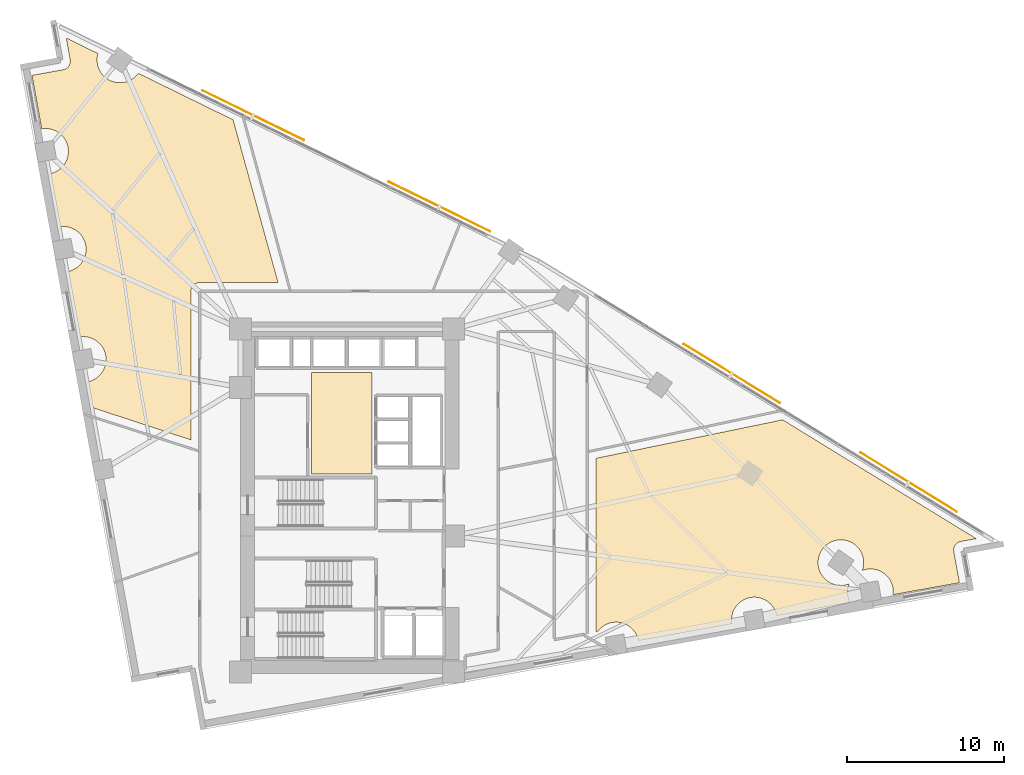
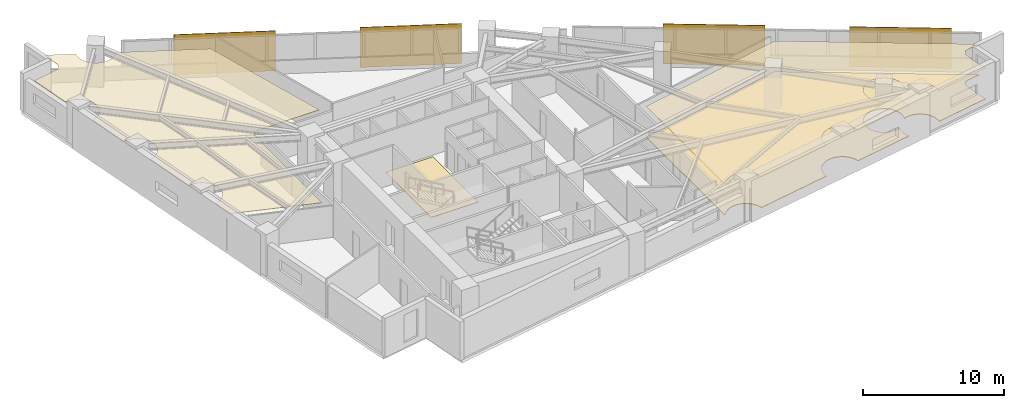
# One storey, part 18 of 18: 4 coverings, 4 shading devices.
"""IFC4 building model written with IfcOpenShell, lengths in metres."""

from ifc_helpers import new_model, si_unit, direction, frame, origin, origin_2d, place, context, subcontext, project, spatial, polyline, rectangle, outline, extrude, material, layer, layer_set, type_object, element, save


model = new_model("IFC4")

# Units and contexts
model_context = context("Model", 3, precision=1e-05, world=origin(), true_north=direction((0.0, 1.0)))
body_context = subcontext(model_context, "Body", "Model", "MODEL_VIEW")
ifc_project = project(units=[si_unit("LENGTHUNIT", "METRE"), si_unit("AREAUNIT", "SQUARE_METRE"), si_unit("VOLUMEUNIT", "CUBIC_METRE"), si_unit("PLANEANGLEUNIT", "RADIAN"), si_unit("MASSUNIT", "GRAM", prefix="KILO")], contexts=[model_context])

# Site, building, storey
site_placement = place(None, origin())
site = spatial("IfcSite", under=ifc_project, at=site_placement, CompositionType="ELEMENT")
building_placement = place(site_placement, origin())
building = spatial("IfcBuilding", under=site, at=building_placement, Name="Narakoshi Arena Tower", CompositionType="ELEMENT")
storey_placement = place(building_placement, frame((0.0, 0.0, 110.10009765625)))
storey = spatial("IfcBuildingStorey", under=building, at=storey_placement, Name="L29", CompositionType="ELEMENT", Elevation=110.10009765625)

# Coverings
ifc_material_1 = material(Name="Acoustic mineral-fibre ceiling tile")
ifc_layer_1 = layer(ifc_material_1, 0.02001953125)
ifc_layer_set_1 = layer_set([ifc_layer_1], Name="Acoustic mineral-fibre ceiling tile")
covering_type_1 = type_object("IfcCoveringType", Name="COV-CLG-AC20", PredefinedType="CEILING", material=ifc_layer_set_1)
covering_1_placement = place(storey_placement, frame((0.0, 0.0, 2.669921875)))
element("IfcCovering", 1, at=covering_1_placement, inside=storey, type_object=covering_type_1, Name="L29 Suspended Acoustic Ceiling 1", PredefinedType="CEILING", context=body_context, shape_type="SweptSolid", body=[
    extrude(outline(polyline([(94.611328125, 48.2861328125), (106.48779296875, 50.73486328125), (118.80029296875, 43.172607421875), (117.8193359375, 42.995361328125), (117.766845703125, 42.983154296875), (117.715576171875, 42.9658203125), (117.66650390625, 42.943603515625), (117.61962890625, 42.916748046875), (117.57568359375, 42.88525390625), (117.53515625, 42.849609375), (117.498291015625, 42.810302734375), (117.46533203125, 42.767578125), (117.436767578125, 42.7216796875), (117.412841796875, 42.67333984375), (117.393798828125, 42.622802734375), (117.379638671875, 42.57080078125), (117.370849609375, 42.517578125), (117.3671875, 42.463623046875), (117.368896484375, 42.409912109375), (117.3759765625, 42.356201171875), (117.734619140625, 40.372314453125), (113.506103515625, 39.607421875), (113.51318359375, 39.65576171875), (113.520263671875, 39.7978515625), (113.51318359375, 39.93994140625), (113.492431640625, 40.080810546875), (113.4580078125, 40.21875), (113.409912109375, 40.352783203125), (113.34912109375, 40.4814453125), (113.27587890625, 40.603515625), (113.191162109375, 40.7177734375), (113.095703125, 40.8232421875), (112.990234375, 40.918701171875), (112.8759765625, 41.00341796875), (112.75390625, 41.07666015625), (112.625244140625, 41.137451171875), (112.4912109375, 41.185546875), (112.353271484375, 41.219970703125), (112.21240234375, 41.240966796875), (112.0703125, 41.247802734375), (111.92822265625, 41.240966796875), (111.787353515625, 41.219970703125), (111.6494140625, 41.185546875), (111.548095703125, 41.149169921875), (111.576904296875, 41.229248046875), (111.611328125, 41.3671875), (111.632080078125, 41.508056640625), (111.63916015625, 41.650146484375), (111.632080078125, 41.792236328125), (111.611328125, 41.93310546875), (111.576904296875, 42.071044921875), (111.52880859375, 42.205078125), (111.468017578125, 42.333740234375), (111.394775390625, 42.455810546875), (111.31005859375, 42.570068359375), (111.214599609375, 42.675537109375), (111.109130859375, 42.77099609375), (110.994873046875, 42.855712890625), (110.872802734375, 42.928955078125), (110.744140625, 42.98974609375), (110.610107421875, 43.037841796875), (110.47216796875, 43.072265625), (110.331298828125, 43.09326171875), (110.189208984375, 43.10009765625), (110.047119140625, 43.09326171875), (109.90625, 43.072265625), (109.768310546875, 43.037841796875), (109.63427734375, 42.98974609375), (109.505615234375, 42.928955078125), (109.383544921875, 42.855712890625), (109.269287109375, 42.77099609375), (109.163818359375, 42.675537109375), (109.068359375, 42.570068359375), (108.983642578125, 42.455810546875), (108.910400390625, 42.333740234375), (108.849609375, 42.205078125), (108.801513671875, 42.071044921875), (108.76708984375, 41.93310546875), (108.74609375, 41.792236328125), (108.7392578125, 41.650146484375), (108.74609375, 41.508056640625), (108.76708984375, 41.3671875), (108.801513671875, 41.229248046875), (108.849609375, 41.09521484375), (108.910400390625, 40.966796875), (108.983642578125, 40.844482421875), (109.068359375, 40.730224609375), (109.163818359375, 40.625), (109.269287109375, 40.529296875), (109.383544921875, 40.444580078125), (109.505615234375, 40.371337890625), (109.63427734375, 40.310546875), (109.768310546875, 40.2626953125), (109.90625, 40.22802734375), (110.047119140625, 40.207275390625), (110.189208984375, 40.2001953125), (110.331298828125, 40.207275390625), (110.47216796875, 40.22802734375), (110.610107421875, 40.2626953125), (110.71142578125, 40.298828125), (110.6826171875, 40.21875), (110.648193359375, 40.080810546875), (110.627197265625, 39.93994140625), (110.620361328125, 39.7978515625), (110.627197265625, 39.65576171875), (110.648193359375, 39.514892578125), (110.6826171875, 39.376953125), (110.730712890625, 39.242919921875), (110.79052734375, 39.116455078125), (106.105712890625, 38.269287109375), (106.103515625, 38.284423828125), (106.06884765625, 38.42236328125), (106.02099609375, 38.556396484375), (105.960205078125, 38.68505859375), (105.886962890625, 38.80712890625), (105.80224609375, 38.92138671875), (105.70654296875, 39.02685546875), (105.601318359375, 39.122314453125), (105.48681640625, 39.20703125), (105.36474609375, 39.2802734375), (105.236083984375, 39.341064453125), (105.102294921875, 39.38916015625), (104.964111328125, 39.423583984375), (104.823486328125, 39.444580078125), (104.681396484375, 39.451416015625), (104.539306640625, 39.444580078125), (104.3984375, 39.423583984375), (104.260498046875, 39.38916015625), (104.12646484375, 39.341064453125), (103.997802734375, 39.2802734375), (103.875732421875, 39.20703125), (103.761474609375, 39.122314453125), (103.656005859375, 39.02685546875), (103.560302734375, 38.92138671875), (103.4755859375, 38.80712890625), (103.402587890625, 38.68505859375), (103.341796875, 38.556396484375), (103.293701171875, 38.42236328125), (103.25927734375, 38.284423828125), (103.23828125, 38.1435546875), (103.231201171875, 38.00146484375), (103.23828125, 37.859375), (103.25390625, 37.753662109375), (97.314453125, 36.679443359375), (97.312255859375, 36.694580078125), (97.277587890625, 36.832763671875), (97.229736328125, 36.966796875), (97.1689453125, 37.09521484375), (97.095703125, 37.21728515625), (97.010986328125, 37.331787109375), (96.915283203125, 37.43701171875), (96.81005859375, 37.53271484375), (96.69580078125, 37.617431640625), (96.573486328125, 37.690673828125), (96.445068359375, 37.75146484375), (96.31103515625, 37.79931640625), (96.173095703125, 37.833984375), (96.0322265625, 37.854736328125), (95.89013671875, 37.86181640625), (95.748046875, 37.854736328125), (95.607177734375, 37.833984375), (95.46923828125, 37.79931640625), (95.335205078125, 37.75146484375), (95.20654296875, 37.690673828125), (95.08447265625, 37.617431640625), (94.97021484375, 37.53271484375), (94.86474609375, 37.43701171875), (94.769287109375, 37.331787109375), (94.69677734375, 37.23388671875), (94.611328125, 37.2822265625), (94.611328125, 48.2861328125)])), origin(), (0.0, 0.0, 1.0), 0.02001953125),
])
ifc_material_2 = material(Name="Slatted oak acoustic timber baffle", Category="wood")
ifc_layer_2 = layer(ifc_material_2, 0.034912109375)
ifc_layer_set_2 = layer_set([ifc_layer_2], Name="Slatted oak acoustic timber baffle")
covering_type_2 = type_object("IfcCoveringType", Name="COV-CLG-WD35", PredefinedType="CEILING", material=ifc_layer_set_2)
covering_2_placement = place(storey_placement, frame((0.0, 0.0, 2.65478515625)))
element("IfcCovering", 2, at=covering_2_placement, inside=storey, type_object=covering_type_2, Name="L29 Suspended Acoustic Ceiling 2", PredefinedType="CEILING", context=body_context, shape_type="SweptSolid", body=[
    extrude(outline(polyline([(60.713623046875, 73.00830078125), (60.76611328125, 73.0205078125), (60.8173828125, 73.037841796875), (60.866455078125, 73.06005859375), (60.9130859375, 73.0869140625), (60.95703125, 73.118408203125), (60.997802734375, 73.154052734375), (61.03466796875, 73.193359375), (61.067626953125, 73.236083984375), (61.09619140625, 73.281982421875), (61.1201171875, 73.330322265625), (61.13916015625, 73.380859375), (61.1533203125, 73.432861328125), (61.162109375, 73.486083984375), (61.16552734375, 73.5400390625), (61.163818359375, 73.593994140625), (61.156982421875, 73.6474609375), (60.90771484375, 75.025390625), (62.92578125, 74.03662109375), (62.895751953125, 73.916015625), (62.874755859375, 73.775146484375), (62.867919921875, 73.633056640625), (62.874755859375, 73.490966796875), (62.895751953125, 73.35009765625), (62.93017578125, 73.212158203125), (62.978271484375, 73.078125), (63.0390625, 72.949462890625), (63.1123046875, 72.827392578125), (63.197021484375, 72.713134765625), (63.29248046875, 72.607666015625), (63.39794921875, 72.51220703125), (63.51220703125, 72.427490234375), (63.63427734375, 72.354248046875), (63.762939453125, 72.29345703125), (63.89697265625, 72.245361328125), (64.034912109375, 72.2109375), (64.17578125, 72.18994140625), (64.31787109375, 72.18310546875), (64.4599609375, 72.18994140625), (64.6005859375, 72.2109375), (64.73876953125, 72.245361328125), (64.872802734375, 72.29345703125), (65.001220703125, 72.354248046875), (65.123291015625, 72.427490234375), (65.23779296875, 72.51220703125), (65.343017578125, 72.607666015625), (65.438720703125, 72.713134765625), (65.48876953125, 72.78076171875), (71.521484375, 69.824951171875), (74.386474609375, 59.458984375), (69.388916015625, 59.458984375), (69.3349609375, 59.456298828125), (69.281494140625, 59.448486328125), (69.22900390625, 59.435302734375), (69.17822265625, 59.4169921875), (69.12939453125, 59.39404296875), (69.083251953125, 59.3662109375), (69.039794921875, 59.334228515625), (69.0, 59.2978515625), (68.963623046875, 59.2578125), (68.931396484375, 59.214599609375), (68.90380859375, 59.168212890625), (68.880615234375, 59.119384765625), (68.862548828125, 59.068603515625), (68.849365234375, 59.016357421875), (68.84130859375, 58.962890625), (68.8388671875, 58.908935546875), (68.8388671875, 49.456787109375), (62.55078125, 51.518310546875), (62.25537109375, 53.151123046875), (62.2705078125, 53.1533203125), (62.40869140625, 53.18798828125), (62.54248046875, 53.23583984375), (62.671142578125, 53.296630859375), (62.793212890625, 53.369873046875), (62.90771484375, 53.45458984375), (63.012939453125, 53.55029296875), (63.108642578125, 53.655517578125), (63.193359375, 53.77001953125), (63.2666015625, 53.89208984375), (63.327392578125, 54.0205078125), (63.375244140625, 54.154541015625), (63.409912109375, 54.29248046875), (63.4306640625, 54.433349609375), (63.437744140625, 54.575439453125), (63.4306640625, 54.717529296875), (63.409912109375, 54.8583984375), (63.375244140625, 54.996337890625), (63.327392578125, 55.13037109375), (63.2666015625, 55.259033203125), (63.193359375, 55.381103515625), (63.108642578125, 55.495361328125), (63.012939453125, 55.600830078125), (62.90771484375, 55.6962890625), (62.793212890625, 55.781005859375), (62.671142578125, 55.854248046875), (62.54248046875, 55.9150390625), (62.40869140625, 55.963134765625), (62.2705078125, 55.99755859375), (62.1298828125, 56.0185546875), (61.98779296875, 56.025390625), (61.845703125, 56.0185546875), (61.73974609375, 56.002685546875), (60.98779296875, 60.16064453125), (61.003173828125, 60.1630859375), (61.14111328125, 60.197509765625), (61.275146484375, 60.24560546875), (61.40380859375, 60.306396484375), (61.52587890625, 60.37939453125), (61.64013671875, 60.464111328125), (61.74560546875, 60.559814453125), (61.841064453125, 60.665283203125), (61.92578125, 60.779541015625), (61.9990234375, 60.901611328125), (62.059814453125, 61.0302734375), (62.10791015625, 61.164306640625), (62.142333984375, 61.30224609375), (62.1630859375, 61.443115234375), (62.170166015625, 61.585205078125), (62.1630859375, 61.727294921875), (62.142333984375, 61.867919921875), (62.10791015625, 62.006103515625), (62.059814453125, 62.139892578125), (61.9990234375, 62.2685546875), (61.92578125, 62.390625), (61.841064453125, 62.5048828125), (61.74560546875, 62.6103515625), (61.64013671875, 62.7060546875), (61.52587890625, 62.790771484375), (61.40380859375, 62.864013671875), (61.275146484375, 62.9248046875), (61.14111328125, 62.97265625), (61.003173828125, 63.007080078125), (60.8623046875, 63.028076171875), (60.72021484375, 63.03515625), (60.578125, 63.028076171875), (60.47216796875, 63.012451171875), (59.861083984375, 66.3916015625), (59.87646484375, 66.393798828125), (60.014404296875, 66.42822265625), (60.1484375, 66.476318359375), (60.277099609375, 66.537109375), (60.399169921875, 66.6103515625), (60.513427734375, 66.695068359375), (60.618896484375, 66.79052734375), (60.71435546875, 66.89599609375), (60.799072265625, 67.01025390625), (60.872314453125, 67.13232421875), (60.93310546875, 67.260986328125), (60.981201171875, 67.39501953125), (61.015625, 67.532958984375), (61.03662109375, 67.673828125), (61.04345703125, 67.81591796875), (61.03662109375, 67.9580078125), (61.015625, 68.098876953125), (60.981201171875, 68.23681640625), (60.93310546875, 68.370849609375), (60.872314453125, 68.49951171875), (60.799072265625, 68.62158203125), (60.71435546875, 68.73583984375), (60.618896484375, 68.84130859375), (60.513427734375, 68.936767578125), (60.399169921875, 69.021484375), (60.277099609375, 69.0947265625), (60.1484375, 69.155517578125), (60.014404296875, 69.20361328125), (59.87646484375, 69.238037109375), (59.735595703125, 69.2587890625), (59.593505859375, 69.265869140625), (59.451416015625, 69.2587890625), (59.345703125, 69.2431640625), (58.7294921875, 72.649658203125), (60.713623046875, 73.00830078125)])), origin(), (0.0, 0.0, 1.0), 0.03515625),
])
ifc_material_3 = material(Name="Raised steel access floor panel", Category="steel")
ifc_layer_3 = layer(ifc_material_3, 0.044921875)
ifc_layer_set_3 = layer_set([ifc_layer_3], Name="Raised steel access floor panel")
covering_type_3 = type_object("IfcCoveringType", Name="COV-FLR-RF45", PredefinedType="FLOORING", material=ifc_layer_set_3)
covering_3_placement = place(storey_placement, origin())
element("IfcCovering", 3, at=covering_3_placement, inside=storey, type_object=covering_type_3, Name="L29 Raised Steel Access Floor", PredefinedType="FLOORING", context=body_context, shape_type="SweptSolid", body=[
    extrude(outline(polyline([(94.611328125, 48.2861328125), (106.48779296875, 50.73486328125), (118.80029296875, 43.172607421875), (117.8193359375, 42.995361328125), (117.766845703125, 42.983154296875), (117.715576171875, 42.9658203125), (117.66650390625, 42.943603515625), (117.61962890625, 42.916748046875), (117.57568359375, 42.88525390625), (117.53515625, 42.849609375), (117.498291015625, 42.810302734375), (117.46533203125, 42.767578125), (117.436767578125, 42.7216796875), (117.412841796875, 42.67333984375), (117.393798828125, 42.622802734375), (117.379638671875, 42.57080078125), (117.370849609375, 42.517578125), (117.3671875, 42.463623046875), (117.368896484375, 42.409912109375), (117.3759765625, 42.356201171875), (117.734619140625, 40.372314453125), (113.506103515625, 39.607421875), (113.51318359375, 39.65576171875), (113.520263671875, 39.7978515625), (113.51318359375, 39.93994140625), (113.492431640625, 40.080810546875), (113.4580078125, 40.21875), (113.409912109375, 40.352783203125), (113.34912109375, 40.4814453125), (113.27587890625, 40.603515625), (113.191162109375, 40.7177734375), (113.095703125, 40.8232421875), (112.990234375, 40.918701171875), (112.8759765625, 41.00341796875), (112.75390625, 41.07666015625), (112.625244140625, 41.137451171875), (112.4912109375, 41.185546875), (112.353271484375, 41.219970703125), (112.21240234375, 41.240966796875), (112.0703125, 41.247802734375), (111.92822265625, 41.240966796875), (111.787353515625, 41.219970703125), (111.6494140625, 41.185546875), (111.548095703125, 41.149169921875), (111.576904296875, 41.229248046875), (111.611328125, 41.3671875), (111.632080078125, 41.508056640625), (111.63916015625, 41.650146484375), (111.632080078125, 41.792236328125), (111.611328125, 41.93310546875), (111.576904296875, 42.071044921875), (111.52880859375, 42.205078125), (111.468017578125, 42.333740234375), (111.394775390625, 42.455810546875), (111.31005859375, 42.570068359375), (111.214599609375, 42.675537109375), (111.109130859375, 42.77099609375), (110.994873046875, 42.855712890625), (110.872802734375, 42.928955078125), (110.744140625, 42.98974609375), (110.610107421875, 43.037841796875), (110.47216796875, 43.072265625), (110.331298828125, 43.09326171875), (110.189208984375, 43.10009765625), (110.047119140625, 43.09326171875), (109.90625, 43.072265625), (109.768310546875, 43.037841796875), (109.63427734375, 42.98974609375), (109.505615234375, 42.928955078125), (109.383544921875, 42.855712890625), (109.269287109375, 42.77099609375), (109.163818359375, 42.675537109375), (109.068359375, 42.570068359375), (108.983642578125, 42.455810546875), (108.910400390625, 42.333740234375), (108.849609375, 42.205078125), (108.801513671875, 42.071044921875), (108.76708984375, 41.93310546875), (108.74609375, 41.792236328125), (108.7392578125, 41.650146484375), (108.74609375, 41.508056640625), (108.76708984375, 41.3671875), (108.801513671875, 41.229248046875), (108.849609375, 41.09521484375), (108.910400390625, 40.966796875), (108.983642578125, 40.844482421875), (109.068359375, 40.730224609375), (109.163818359375, 40.625), (109.269287109375, 40.529296875), (109.383544921875, 40.444580078125), (109.505615234375, 40.371337890625), (109.63427734375, 40.310546875), (109.768310546875, 40.2626953125), (109.90625, 40.22802734375), (110.047119140625, 40.207275390625), (110.189208984375, 40.2001953125), (110.331298828125, 40.207275390625), (110.47216796875, 40.22802734375), (110.610107421875, 40.2626953125), (110.71142578125, 40.298828125), (110.6826171875, 40.21875), (110.648193359375, 40.080810546875), (110.627197265625, 39.93994140625), (110.620361328125, 39.7978515625), (110.627197265625, 39.65576171875), (110.648193359375, 39.514892578125), (110.6826171875, 39.376953125), (110.730712890625, 39.242919921875), (110.79052734375, 39.116455078125), (106.105712890625, 38.269287109375), (106.103515625, 38.284423828125), (106.06884765625, 38.42236328125), (106.02099609375, 38.556396484375), (105.960205078125, 38.68505859375), (105.886962890625, 38.80712890625), (105.80224609375, 38.92138671875), (105.70654296875, 39.02685546875), (105.601318359375, 39.122314453125), (105.48681640625, 39.20703125), (105.36474609375, 39.2802734375), (105.236083984375, 39.341064453125), (105.102294921875, 39.38916015625), (104.964111328125, 39.423583984375), (104.823486328125, 39.444580078125), (104.681396484375, 39.451416015625), (104.539306640625, 39.444580078125), (104.3984375, 39.423583984375), (104.260498046875, 39.38916015625), (104.12646484375, 39.341064453125), (103.997802734375, 39.2802734375), (103.875732421875, 39.20703125), (103.761474609375, 39.122314453125), (103.656005859375, 39.02685546875), (103.560302734375, 38.92138671875), (103.4755859375, 38.80712890625), (103.402587890625, 38.68505859375), (103.341796875, 38.556396484375), (103.293701171875, 38.42236328125), (103.25927734375, 38.284423828125), (103.23828125, 38.1435546875), (103.231201171875, 38.00146484375), (103.23828125, 37.859375), (103.25390625, 37.753662109375), (97.314453125, 36.679443359375), (97.312255859375, 36.694580078125), (97.277587890625, 36.832763671875), (97.229736328125, 36.966796875), (97.1689453125, 37.09521484375), (97.095703125, 37.21728515625), (97.010986328125, 37.331787109375), (96.915283203125, 37.43701171875), (96.81005859375, 37.53271484375), (96.69580078125, 37.617431640625), (96.573486328125, 37.690673828125), (96.445068359375, 37.75146484375), (96.31103515625, 37.79931640625), (96.173095703125, 37.833984375), (96.0322265625, 37.854736328125), (95.89013671875, 37.86181640625), (95.748046875, 37.854736328125), (95.607177734375, 37.833984375), (95.46923828125, 37.79931640625), (95.335205078125, 37.75146484375), (95.20654296875, 37.690673828125), (95.08447265625, 37.617431640625), (94.97021484375, 37.53271484375), (94.86474609375, 37.43701171875), (94.769287109375, 37.331787109375), (94.69677734375, 37.23388671875), (94.611328125, 37.2822265625), (94.611328125, 48.2861328125)])), origin(), (0.0, 0.0, 1.0), 0.044921875),
])
ifc_material_4 = material(Name="Honed granite stone paving", Category="masonry")
ifc_layer_4 = layer(ifc_material_4, 0.030029296875)
ifc_layer_set_4 = layer_set([ifc_layer_4], Name="Honed granite stone paving")
covering_type_4 = type_object("IfcCoveringType", Name="COV-FLR-ST30", PredefinedType="FLOORING", material=ifc_layer_set_4)
covering_4_placement = place(storey_placement, origin())
element("IfcCovering", 4, at=covering_4_placement, inside=storey, type_object=covering_type_4, Name="L29 Lift Lobby Granite Flooring", PredefinedType="FLOORING", context=body_context, shape_type="SweptSolid", body=[
    extrude(outline(polyline([(76.5, 47.300048828125), (80.35009765625, 47.300048828125), (80.35009765625, 53.75), (76.5, 53.75), (76.5, 47.300048828125)])), origin(), (0.0, 0.0, 1.0), 0.02978515625),
])

# Shading devices
ifc_material_5 = material(Name="Perforated bronze ceramic-metal composite")
ifc_layer_5 = layer(ifc_material_5, 0.044921875)
ifc_layer_set_5 = layer_set([ifc_layer_5], Name="Perforated bronze ceramic-metal composite")
shading_device_type = type_object("IfcShadingDeviceType", Name="SHD-SCR-BRZ1", PredefinedType="USERDEFINED", material=ifc_layer_set_5)
for number, where, z_axis, x_axis, name in (
    (5, (114.495849609375, 46.77001953125, 0.0), (0.0, 0.0, 1.0), (-0.852110807003, 0.523361416794, 0.0), "L29 Perforated Bronze Solar Screen 1-1"),
    (6, (103.247802734375, 53.67822265625, 0.0), (0.0, 0.0, 1.0), (-0.852110807003, 0.523361416794, 0.0), "L29 Perforated Bronze Solar Screen 1-2"),
    (7, (84.6494140625, 64.297119140625, 0.0), (0.0, 0.0, 1.0), (-0.897996860024, 0.440001862936, 0.0), "L29 Perforated Bronze Solar Screen 2-1"),
    (8, (72.7958984375, 70.105224609375, 0.0), (0.0, 0.0, 1.0), (-0.897996860024, 0.440001862936, 0.0), "L29 Perforated Bronze Solar Screen 2-2"),
):
    element("IfcShadingDevice", number, at=place(storey_placement, frame(where, z_axis=z_axis, x_axis=x_axis)), inside=storey, type_object=shading_device_type, Name=name, ObjectType="SOLAR SCREEN", PredefinedType="USERDEFINED", context=body_context, shape_type="SweptSolid", body=[
        extrude(rectangle(XDim=7.199951171875, YDim=0.044921875, at=origin_2d()), origin(), (0.0, 0.0, 1.0), 3.449951171875),
    ])

save(model, "model.ifc")
